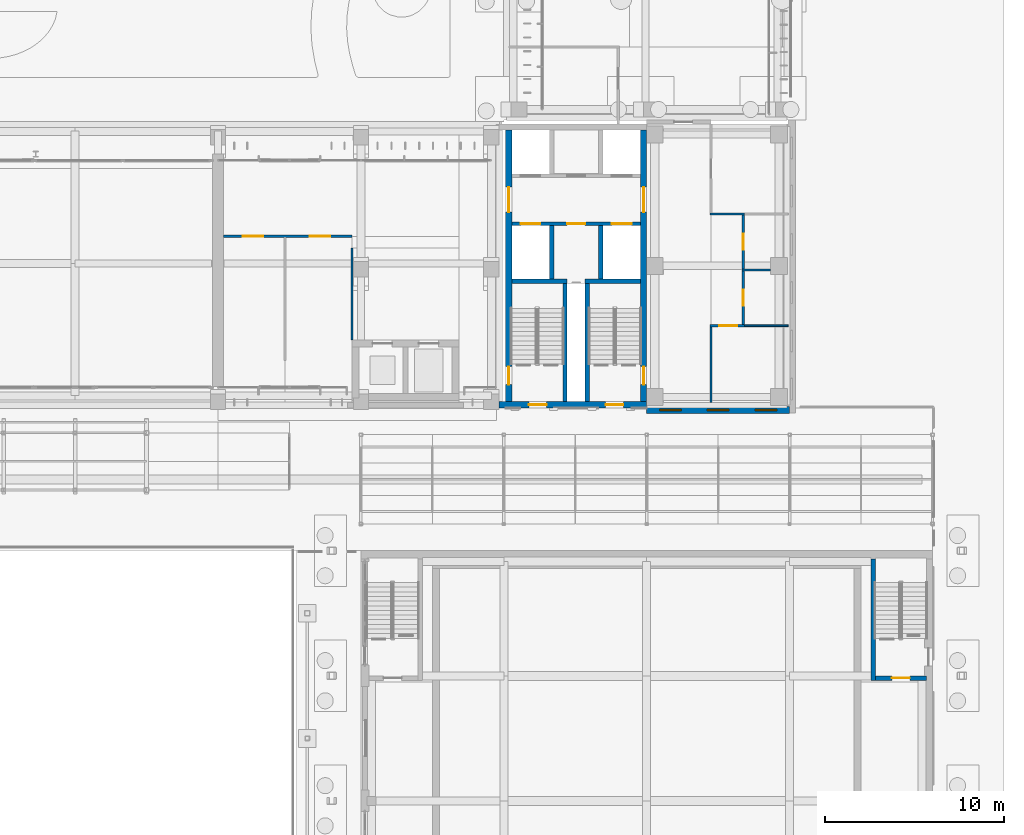
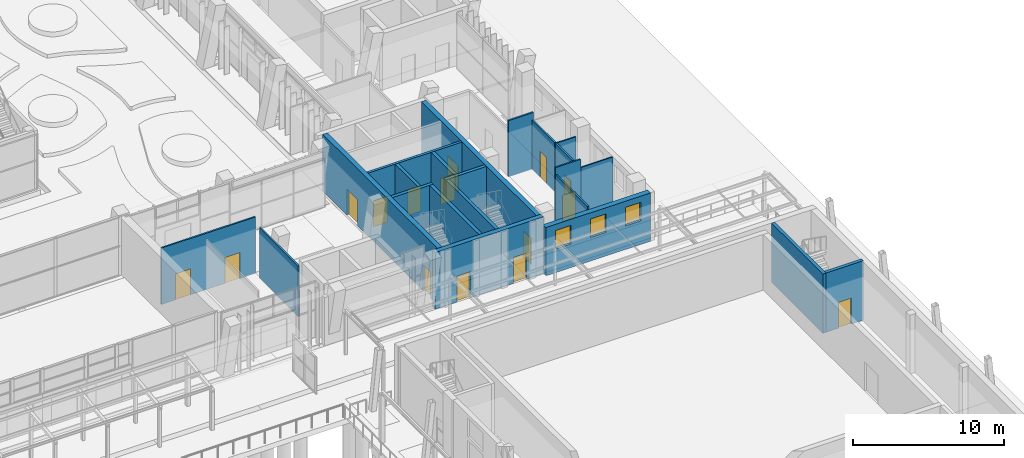
# One storey, part 106 of 144: 21 walls, 15 doors, 3 windows, 18 openings.
"""IFC4 building model written with IfcOpenShell, lengths in metres."""

from ifc_helpers import new_model, si_unit, direction, frame, frame_2d, origin, place, context, subcontext, project, spatial, rectangle, extrude, material, layer, layer_set, type_object, element, fill, save


model = new_model("IFC4")

# Units and contexts
model_context = context("Model", 3, precision=1e-05, world=origin(), true_north=direction((0.0, 1.0)))
body_context = subcontext(model_context, "Body", "Model", "MODEL_VIEW")
ifc_project = project(units=[si_unit("LENGTHUNIT", "METRE"), si_unit("AREAUNIT", "SQUARE_METRE"), si_unit("VOLUMEUNIT", "CUBIC_METRE"), si_unit("PLANEANGLEUNIT", "RADIAN"), si_unit("MASSUNIT", "GRAM", prefix="KILO")], contexts=[model_context])

# Site, building, storey
site_placement = place(None, origin())
site = spatial("IfcSite", under=ifc_project, at=site_placement, CompositionType="ELEMENT")
building_placement = place(site_placement, origin())
building = spatial("IfcBuilding", under=site, at=building_placement, Name="Lantern Court Media Centre", CompositionType="ELEMENT")
storey_placement = place(building_placement, origin())
storey = spatial("IfcBuildingStorey", under=building, at=storey_placement, Name="L00", CompositionType="ELEMENT", Elevation=0.0)

# Wall
ifc_material_1 = material(Name="Gypsum board partition")
ifc_layer_1 = layer(ifc_material_1, 0.125)
ifc_layer_set_1 = layer_set([ifc_layer_1], Name="Gypsum board partition")
wall_type_1 = type_object("IfcWallType", Name="Corridor partition 125", PredefinedType="PARTITIONING", material=ifc_layer_set_1)
wall_1_placement = place(storey_placement, frame((71.5, 51.800048828125, 0.0), z_axis=(0.0, 0.0, 1.0), x_axis=(0.0, 1.0, 0.0)))
element("IfcWall", 1, at=wall_1_placement, inside=storey, type_object=wall_type_1, Name="L00 partition 002", PredefinedType="PARTITIONING", context=body_context, shape_type="SweptSolid", body=[
    extrude(rectangle(XDim=5.14990234375, YDim=0.125, at=frame_2d((2.574951171875, 0.0))), origin(), (0.0, 0.0, 1.0), 4.080078125),
])

# Wall, openings, doors
wall_2_placement = place(storey_placement, frame((64.304931640625, 57.60009765625, 0.0), z_axis=(0.0, 0.0, 1.0), x_axis=(1.0, 0.0, 0.0)))
wall_2 = element("IfcWall", 2, at=wall_2_placement, inside=storey, type_object=wall_type_1, Name="L00 partition 005", PredefinedType="PARTITIONING", context=body_context, shape_type="SweptSolid", body=[
    extrude(rectangle(XDim=7.195068359375, YDim=0.125, at=frame_2d((3.59765625, 0.0))), origin(), (0.0, 0.0, 1.0), 4.56005859375),
])
opening_1_placement = place(wall_2_placement, frame((1.08447265625, 0.0, 0.0)))
opening_1 = element("IfcOpeningElement", 3, at=opening_1_placement, cuts=wall_2, Name="Opening L00-003", PredefinedType="OPENING", context=body_context, shape_type="SweptSolid", body=[
    extrude(rectangle(XDim=1.14990234375, YDim=2.10009765625, at=frame_2d((0.574951171875, 1.050048828125))), frame((0.0, 0.072509765625, 0.0), z_axis=(0.0, -1.0, 0.0), x_axis=(1.0, 0.0, 0.0)), (0.0, 0.0, 1.0), 0.14501953125),
])
opening_2_placement = place(wall_2_placement, frame((4.83447265625, 0.0, 0.0)))
opening_2 = element("IfcOpeningElement", 4, at=opening_2_placement, cuts=wall_2, Name="Opening L00-004", PredefinedType="OPENING", context=body_context, shape_type="SweptSolid", body=[
    extrude(rectangle(XDim=1.14990234375, YDim=2.10009765625, at=frame_2d((0.574951171875, 1.050048828125))), frame((0.0, 0.072509765625, 0.0), z_axis=(0.0, -1.0, 0.0), x_axis=(1.0, 0.0, 0.0)), (0.0, 0.0, 1.0), 0.14501953125),
])
ifc_material_2 = material(Name="Solid-core timber door leaf", Category="wood")
door_type_1 = type_object("IfcDoorType", Name="Single door 1150x2100", OperationType="NOTDEFINED", PredefinedType="DOOR", material=ifc_material_2)
door_1_placement = place(opening_1_placement, frame((1.14990234375, 0.0, 0.0), z_axis=(0.0, 0.0, 1.0), x_axis=(-1.0, 0.0, 0.0)))
door_1 = element("IfcDoor", 5, at=door_1_placement, inside=storey, type_object=door_type_1, Name="L00 Visitor Services and Booking door", OperationType="SINGLE_SWING_RIGHT", OverallHeight=2.10009765625, OverallWidth=1.14990234375, PredefinedType="DOOR", context=body_context, shape_type="SweptSolid", body=[
    extrude(rectangle(XDim=1.14990234375, YDim=2.10009765625, at=frame_2d((0.574951171875, 1.050048828125))), frame((0.0, 0.02490234375, 0.0), z_axis=(0.0, -1.0, 0.0), x_axis=(1.0, 0.0, 0.0)), (0.0, 0.0, 1.0), 0.050048828125),
])
fill(opening_1, door_1)
door_2_placement = place(opening_2_placement, frame((1.14990234375, 0.0, 0.0), z_axis=(0.0, 0.0, 1.0), x_axis=(-1.0, 0.0, 0.0)))
door_2 = element("IfcDoor", 6, at=door_2_placement, inside=storey, type_object=door_type_1, Name="L00 Media Shop door", OperationType="SINGLE_SWING_LEFT", OverallHeight=2.10009765625, OverallWidth=1.14990234375, PredefinedType="DOOR", context=body_context, shape_type="SweptSolid", body=[
    extrude(rectangle(XDim=1.14990234375, YDim=2.10009765625, at=frame_2d((0.574951171875, 1.050048828125))), frame((0.0, 0.02490234375, 0.0), z_axis=(0.0, -1.0, 0.0), x_axis=(1.0, 0.0, 0.0)), (0.0, 0.0, 1.0), 0.050048828125),
])
fill(opening_2, door_2)

# Wall
wall_3_placement = place(storey_placement, frame((91.60009765625, 48.300048828125, 0.0), z_axis=(0.0, 0.0, 1.0), x_axis=(0.0, 1.0, 0.0)))
element("IfcWall", 7, at=wall_3_placement, inside=storey, type_object=wall_type_1, Name="L00 partition 037", PredefinedType="PARTITIONING", context=body_context, shape_type="SweptSolid", body=[
    extrude(rectangle(XDim=4.228759765625, YDim=0.125, at=frame_2d((2.1142578125, 0.0))), origin(), (0.0, 0.0, 1.0), 3.97998046875),
])

# Wall, opening, door
wall_4_placement = place(storey_placement, frame((91.53759765625, 52.591064453125, 0.0), z_axis=(0.0, 0.0, 1.0), x_axis=(1.0, 0.0, 0.0)))
wall_4 = element("IfcWall", 8, at=wall_4_placement, inside=storey, type_object=wall_type_1, Name="L00 partition 040", PredefinedType="PARTITIONING", context=body_context, shape_type="SweptSolid", body=[
    extrude(rectangle(XDim=1.9248046875, YDim=0.125, at=frame_2d((0.96240234375, 0.0))), origin(), (0.0, 0.0, 1.0), 4.56005859375),
])
opening_3_placement = place(wall_4_placement, frame((0.53515625, 0.0, 0.0)))
opening_3 = element("IfcOpeningElement", 9, at=opening_3_placement, cuts=wall_4, Name="Opening L00-023", PredefinedType="OPENING", context=body_context, shape_type="SweptSolid", body=[
    extrude(rectangle(XDim=1.0, YDim=2.10009765625, at=frame_2d((0.5, 1.050048828125))), frame((0.0, 0.072509765625, 0.0), z_axis=(0.0, -1.0, 0.0), x_axis=(1.0, 0.0, 0.0)), (0.0, 0.0, 1.0), 0.14501953125),
])
door_type_2 = type_object("IfcDoorType", Name="Single door 1000x2100", OperationType="NOTDEFINED", PredefinedType="DOOR", material=ifc_material_2)
door_3_placement = place(opening_3_placement, frame((1.0, 0.0, 0.0), z_axis=(0.0, 0.0, 1.0), x_axis=(-1.0, 0.0, 0.0)))
door_3 = element("IfcDoor", 10, at=door_3_placement, inside=storey, type_object=door_type_2, Name="L00 Cafe Kitchen door", OperationType="SINGLE_SWING_RIGHT", OverallHeight=2.10009765625, OverallWidth=1.0, PredefinedType="DOOR", context=body_context, shape_type="SweptSolid", body=[
    extrude(rectangle(XDim=1.0, YDim=2.10009765625, at=frame_2d((0.5, 1.050048828125))), frame((0.0, 0.02490234375, 0.0), z_axis=(0.0, -1.0, 0.0), x_axis=(1.0, 0.0, 0.0)), (0.0, 0.0, 1.0), 0.050048828125),
])
fill(opening_3, door_3)

# Wall
wall_5_placement = place(storey_placement, frame((91.53759765625, 58.85205078125, 0.0), z_axis=(0.0, 0.0, 1.0), x_axis=(1.0, 0.0, 0.0)))
element("IfcWall", 11, at=wall_5_placement, inside=storey, type_object=wall_type_1, Name="L00 partition 042", PredefinedType="PARTITIONING", context=body_context, shape_type="SweptSolid", body=[
    extrude(rectangle(XDim=1.9248046875, YDim=0.125, at=frame_2d((0.96240234375, 0.0))), origin(), (0.0, 0.0, 1.0), 4.56005859375),
])

# Wall, openings, doors
wall_6_placement = place(storey_placement, frame((93.39990234375, 52.65380859375, 0.0), z_axis=(0.0, 0.0, 1.0), x_axis=(0.0, 1.0, 0.0)))
wall_6 = element("IfcWall", 12, at=wall_6_placement, inside=storey, type_object=wall_type_1, Name="L00 partition 044", PredefinedType="PARTITIONING", context=body_context, shape_type="SweptSolid", body=[
    extrude(rectangle(XDim=6.13525390625, YDim=0.125, at=frame_2d((3.067626953125, 0.0))), origin(), (0.0, 0.0, 1.0), 3.97998046875),
])
opening_4_placement = place(wall_6_placement, frame((1.052490234375, 0.0, 0.0)))
opening_4 = element("IfcOpeningElement", 13, at=opening_4_placement, cuts=wall_6, Name="Opening L00-025", PredefinedType="OPENING", context=body_context, shape_type="SweptSolid", body=[
    extrude(rectangle(XDim=0.89990234375, YDim=2.10009765625, at=frame_2d((0.449951171875, 1.050048828125))), frame((0.0, 0.072509765625, 0.0), z_axis=(0.0, -1.0, 0.0), x_axis=(1.0, 0.0, 0.0)), (0.0, 0.0, 1.0), 0.14501953125),
])
opening_5_placement = place(wall_6_placement, frame((4.1826171875, 0.0, 0.0)))
opening_5 = element("IfcOpeningElement", 14, at=opening_5_placement, cuts=wall_6, Name="Opening L00-026", PredefinedType="OPENING", context=body_context, shape_type="SweptSolid", body=[
    extrude(rectangle(XDim=0.89990234375, YDim=2.10009765625, at=frame_2d((0.449951171875, 1.050048828125))), frame((0.0, 0.072509765625, 0.0), z_axis=(0.0, -1.0, 0.0), x_axis=(1.0, 0.0, 0.0)), (0.0, 0.0, 1.0), 0.14501953125),
])
door_type_3 = type_object("IfcDoorType", Name="Single door 900x2100", OperationType="NOTDEFINED", PredefinedType="DOOR", material=ifc_material_2)
door_4_placement = place(opening_4_placement, frame((0.89990234375, 0.0, 0.0), z_axis=(0.0, 0.0, 1.0), x_axis=(-1.0, 0.0, 0.0)))
door_4 = element("IfcDoor", 15, at=door_4_placement, inside=storey, type_object=door_type_3, Name="L00 WC Male door", OperationType="SINGLE_SWING_RIGHT", OverallHeight=2.10009765625, OverallWidth=0.89990234375, PredefinedType="DOOR", context=body_context, shape_type="SweptSolid", body=[
    extrude(rectangle(XDim=0.89990234375, YDim=2.10009765625, at=frame_2d((0.449951171875, 1.050048828125))), frame((0.0, 0.02490234375, 0.0), z_axis=(0.0, -1.0, 0.0), x_axis=(1.0, 0.0, 0.0)), (0.0, 0.0, 1.0), 0.050048828125),
])
fill(opening_4, door_4)
door_5_placement = place(opening_5_placement, frame((0.89990234375, 0.0, 0.0), z_axis=(0.0, 0.0, 1.0), x_axis=(-1.0, 0.0, 0.0)))
door_5 = element("IfcDoor", 16, at=door_5_placement, inside=storey, type_object=door_type_3, Name="L00 WC Female door", OperationType="SINGLE_SWING_LEFT", OverallHeight=2.10009765625, OverallWidth=0.89990234375, PredefinedType="DOOR", context=body_context, shape_type="SweptSolid", body=[
    extrude(rectangle(XDim=0.89990234375, YDim=2.10009765625, at=frame_2d((0.449951171875, 1.050048828125))), frame((0.0, 0.02490234375, 0.0), z_axis=(0.0, -1.0, 0.0), x_axis=(1.0, 0.0, 0.0)), (0.0, 0.0, 1.0), 0.050048828125),
])
fill(opening_5, door_5)

ifc_material_3 = material(Name="Concrete C40", Category="concrete")
ifc_layer_2 = layer(ifc_material_3, 0.199951171875)
ifc_layer_set_2 = layer_set([ifc_layer_2], Name="Concrete C40")
wall_type_2 = type_object("IfcWallType", Name="Fire lobby wall 200", PredefinedType="SOLIDWALL", material=ifc_layer_set_2)
wall_7_placement = place(storey_placement, frame((87.64990234375, 58.300048828125, 0.0), z_axis=(0.0, 0.0, 1.0), x_axis=(-1.0, 0.0, 0.0)))
wall_7 = element("IfcWall", 17, at=wall_7_placement, inside=storey, type_object=wall_type_2, Name="L00 SE FW1", PredefinedType="SOLIDWALL", context=body_context, shape_type="SweptSolid", body=[
    extrude(rectangle(XDim=7.199951171875, YDim=0.199951171875, at=frame_2d((3.60009765625, 0.0))), origin(), (0.0, 0.0, 1.0), 4.550048828125),
])
opening_6_placement = place(wall_7_placement, frame((0.5, 0.0, 0.0)))
opening_6 = element("IfcOpeningElement", 18, at=opening_6_placement, cuts=wall_7, Name="Opening LD-SEFF-L00", PredefinedType="OPENING", context=body_context, shape_type="SweptSolid", body=[
    extrude(rectangle(XDim=1.10009765625, YDim=2.10009765625, at=frame_2d((0.550048828125, 1.050048828125))), frame((0.0, 0.10986328125, 0.0), z_axis=(0.0, -1.0, 0.0), x_axis=(1.0, 0.0, 0.0)), (0.0, 0.0, 1.0), 0.219970703125),
])
opening_7_placement = place(wall_7_placement, frame((5.60009765625, 0.0, 0.0)))
opening_7 = element("IfcOpeningElement", 19, at=opening_7_placement, cuts=wall_7, Name="Opening LD-SEP1-L00", PredefinedType="OPENING", context=body_context, shape_type="SweptSolid", body=[
    extrude(rectangle(XDim=1.10009765625, YDim=2.10009765625, at=frame_2d((0.550048828125, 1.050048828125))), frame((0.0, 0.10986328125, 0.0), z_axis=(0.0, -1.0, 0.0), x_axis=(1.0, 0.0, 0.0)), (0.0, 0.0, 1.0), 0.219970703125),
])
opening_8_placement = place(wall_7_placement, frame((3.10009765625, 0.0, 0.0)))
opening_8 = element("IfcOpeningElement", 20, at=opening_8_placement, cuts=wall_7, Name="Opening SE-L00-05", PredefinedType="OPENING", context=body_context, shape_type="SweptSolid", body=[
    extrude(rectangle(XDim=1.0, YDim=2.10009765625, at=frame_2d((0.5, 1.050048828125))), frame((0.0, 0.10986328125, 0.0), z_axis=(0.0, -1.0, 0.0), x_axis=(1.0, 0.0, 0.0)), (0.0, 0.0, 1.0), 0.219970703125),
])
ifc_material_4 = material(Name="Steel door leaf", Category="steel")
door_type_4 = type_object("IfcDoorType", Name="Lift landing door 1100x2100", OperationType="DOUBLE_DOOR_SLIDING", PredefinedType="DOOR", material=ifc_material_4)
door_6_placement = place(opening_6_placement, frame((1.10009765625, 0.0, 0.0), z_axis=(0.0, 0.0, 1.0), x_axis=(-1.0, 0.0, 0.0)))
door_6 = element("IfcDoor", 21, at=door_6_placement, inside=storey, type_object=door_type_4, Name="L00 SE lift FF landing door", OperationType="DOUBLE_DOOR_SLIDING", OverallHeight=2.10009765625, OverallWidth=1.10009765625, PredefinedType="DOOR", context=body_context, shape_type="SweptSolid", body=[
    extrude(rectangle(XDim=1.10009765625, YDim=2.10009765625, at=frame_2d((0.550048828125, 1.050048828125))), frame((0.0, 0.02490234375, 0.0), z_axis=(0.0, -1.0, 0.0), x_axis=(1.0, 0.0, 0.0)), (0.0, 0.0, 1.0), 0.050048828125),
])
fill(opening_6, door_6)
door_7_placement = place(opening_7_placement, frame((1.10009765625, 0.0, 0.0), z_axis=(0.0, 0.0, 1.0), x_axis=(-1.0, 0.0, 0.0)))
door_7 = element("IfcDoor", 22, at=door_7_placement, inside=storey, type_object=door_type_4, Name="L00 SE lift P1 landing door", OperationType="DOUBLE_DOOR_SLIDING", OverallHeight=2.10009765625, OverallWidth=1.10009765625, PredefinedType="DOOR", context=body_context, shape_type="SweptSolid", body=[
    extrude(rectangle(XDim=1.10009765625, YDim=2.10009765625, at=frame_2d((0.550048828125, 1.050048828125))), frame((0.0, 0.02490234375, 0.0), z_axis=(0.0, -1.0, 0.0), x_axis=(1.0, 0.0, 0.0)), (0.0, 0.0, 1.0), 0.050048828125),
])
fill(opening_7, door_7)
door_type_5 = type_object("IfcDoorType", Name="Service door 1000x2100", OperationType="NOTDEFINED", PredefinedType="DOOR", material=ifc_material_4)
door_8_placement = place(opening_8_placement, frame((1.0, 0.0, 0.0), z_axis=(0.0, 0.0, 1.0), x_axis=(-1.0, 0.0, 0.0)))
door_8 = element("IfcDoor", 23, at=door_8_placement, inside=storey, type_object=door_type_5, Name="L00 SE services riser door", OperationType="SINGLE_SWING_LEFT", OverallHeight=2.10009765625, OverallWidth=1.0, PredefinedType="DOOR", context=body_context, shape_type="SweptSolid", body=[
    extrude(rectangle(XDim=1.0, YDim=2.10009765625, at=frame_2d((0.5, 1.050048828125))), frame((0.0, 0.02490234375, 0.0), z_axis=(0.0, -1.0, 0.0), x_axis=(1.0, 0.0, 0.0)), (0.0, 0.0, 1.0), 0.050048828125),
])
fill(opening_8, door_8)

# Wall, openings, windows
ifc_material_5 = material(Name="Honed limestone cladding on blockwork", Category="masonry")
ifc_layer_3 = layer(ifc_material_5, 0.39990234375)
ifc_layer_set_3 = layer_set([ifc_layer_3], Name="Honed limestone cladding on blockwork")
wall_type_3 = type_object("IfcWallType", Name="Limestone plinth wall 400", PredefinedType="SOLIDWALL", material=ifc_layer_set_3)
wall_8_placement = place(storey_placement, frame((88.0, 47.8798828125, 0.0), z_axis=(0.0, 0.0, 1.0), x_axis=(1.0, 0.0, 0.0)))
wall_8 = element("IfcWall", 24, at=wall_8_placement, inside=storey, type_object=wall_type_3, Name="Limestone wall SE S L00", PredefinedType="SOLIDWALL", context=body_context, shape_type="SweptSolid", body=[
    extrude(rectangle(XDim=8.0, YDim=0.39990234375, at=frame_2d((4.0, 0.0))), origin(), (0.0, 0.0, 1.0), 3.89990234375),
])
opening_9_placement = place(wall_8_placement, frame((0.7333984375, 0.0, 1.89990234375)))
opening_9 = element("IfcOpeningElement", 25, at=opening_9_placement, cuts=wall_8, Name="Opening WN-C", PredefinedType="OPENING", context=body_context, shape_type="SweptSolid", body=[
    extrude(rectangle(XDim=1.199951171875, YDim=1.5, at=frame_2d((0.60009765625, 0.75))), frame((0.0, 0.2099609375, 0.0), z_axis=(0.0, -1.0, 0.0), x_axis=(1.0, 0.0, 0.0)), (0.0, 0.0, 1.0), 0.419921875),
])
opening_10_placement = place(wall_8_placement, frame((3.39990234375, 0.0, 1.89990234375)))
opening_10 = element("IfcOpeningElement", 26, at=opening_10_placement, cuts=wall_8, Name="Opening WN-C", PredefinedType="OPENING", context=body_context, shape_type="SweptSolid", body=[
    extrude(rectangle(XDim=1.199951171875, YDim=1.5, at=frame_2d((0.60009765625, 0.75))), frame((0.0, 0.2099609375, 0.0), z_axis=(0.0, -1.0, 0.0), x_axis=(1.0, 0.0, 0.0)), (0.0, 0.0, 1.0), 0.419921875),
])
opening_11_placement = place(wall_8_placement, frame((6.066650390625, 0.0, 1.89990234375)))
opening_11 = element("IfcOpeningElement", 27, at=opening_11_placement, cuts=wall_8, Name="Opening WN-C", PredefinedType="OPENING", context=body_context, shape_type="SweptSolid", body=[
    extrude(rectangle(XDim=1.199951171875, YDim=1.5, at=frame_2d((0.60009765625, 0.75))), frame((0.0, 0.2099609375, 0.0), z_axis=(0.0, -1.0, 0.0), x_axis=(1.0, 0.0, 0.0)), (0.0, 0.0, 1.0), 0.419921875),
])
ifc_material_6 = material(Name="Anodised aluminium and glass", Category="aluminium")
window_type = type_object("IfcWindowType", Name="Clerestory window 1200x1500", PartitioningType="SINGLE_PANEL", PredefinedType="WINDOW", material=ifc_material_6)
window_1_placement = place(opening_9_placement, origin())
window_1 = element("IfcWindow", 28, at=window_1_placement, inside=storey, type_object=window_type, Name="Window SE S L00", OverallHeight=1.5, OverallWidth=1.199951171875, PartitioningType="SINGLE_PANEL", PredefinedType="WINDOW", context=body_context, shape_type="SweptSolid", body=[
    extrude(rectangle(XDim=1.199951171875, YDim=1.5, at=frame_2d((0.60009765625, 0.75))), frame((0.0, 0.030029296875, 0.0), z_axis=(0.0, -1.0, 0.0), x_axis=(1.0, 0.0, 0.0)), (0.0, 0.0, 1.0), 0.06005859375),
])
fill(opening_9, window_1)
window_2_placement = place(opening_10_placement, origin())
window_2 = element("IfcWindow", 29, at=window_2_placement, inside=storey, type_object=window_type, Name="Window SE S L00", OverallHeight=1.5, OverallWidth=1.199951171875, PartitioningType="SINGLE_PANEL", PredefinedType="WINDOW", context=body_context, shape_type="SweptSolid", body=[
    extrude(rectangle(XDim=1.199951171875, YDim=1.5, at=frame_2d((0.60009765625, 0.75))), frame((0.0, 0.030029296875, 0.0), z_axis=(0.0, -1.0, 0.0), x_axis=(1.0, 0.0, 0.0)), (0.0, 0.0, 1.0), 0.06005859375),
])
fill(opening_10, window_2)
window_3_placement = place(opening_11_placement, origin())
window_3 = element("IfcWindow", 30, at=window_3_placement, inside=storey, type_object=window_type, Name="Window SE S L00", OverallHeight=1.5, OverallWidth=1.199951171875, PartitioningType="SINGLE_PANEL", PredefinedType="WINDOW", context=body_context, shape_type="SweptSolid", body=[
    extrude(rectangle(XDim=1.199951171875, YDim=1.5, at=frame_2d((0.60009765625, 0.75))), frame((0.0, 0.030029296875, 0.0), z_axis=(0.0, -1.0, 0.0), x_axis=(1.0, 0.0, 0.0)), (0.0, 0.0, 1.0), 0.06005859375),
])
fill(opening_11, window_3)

# Walls
ifc_layer_4 = layer(ifc_material_1, 0.10009765625)
ifc_layer_set_4 = layer_set([ifc_layer_4], Name="Gypsum board partition")
wall_type_4 = type_object("IfcWallType", Name="Partition 100", PredefinedType="PARTITIONING", material=ifc_layer_set_4)
wall_9_placement = place(storey_placement, frame((93.33740234375, 52.591064453125, 0.0), z_axis=(0.0, 0.0, 1.0), x_axis=(1.0, 0.0, 0.0)))
element("IfcWall", 31, at=wall_9_placement, inside=storey, type_object=wall_type_4, Name="L00 partition 041", PredefinedType="PARTITIONING", context=body_context, shape_type="SweptSolid", body=[
    extrude(rectangle(XDim=2.58251953125, YDim=0.10009765625, at=frame_2d((1.291259765625, 0.0))), origin(), (0.0, 0.0, 1.0), 3.8798828125),
])
wall_10_placement = place(storey_placement, frame((93.33740234375, 55.720947265625, 0.0), z_axis=(0.0, 0.0, 1.0), x_axis=(1.0, 0.0, 0.0)))
element("IfcWall", 32, at=wall_10_placement, inside=storey, type_object=wall_type_4, Name="L00 partition 046", PredefinedType="PARTITIONING", context=body_context, shape_type="SweptSolid", body=[
    extrude(rectangle(XDim=1.58251953125, YDim=0.10009765625, at=frame_2d((0.791259765625, 0.0))), origin(), (0.0, 0.0, 1.0), 3.97998046875),
])

# Wall, openings, doors
ifc_layer_5 = layer(ifc_material_3, 0.35009765625)
ifc_layer_set_5 = layer_set([ifc_layer_5], Name="Concrete C40")
wall_type_5 = type_object("IfcWallType", Name="RC CORE WALL 350", PredefinedType="SHEAR", material=ifc_layer_set_5)
wall_11_placement = place(storey_placement, frame((79.72509765625, 48.175048828125, 0.0), z_axis=(0.0, 0.0, 1.0), x_axis=(1.0, 0.0, 0.0)))
wall_11 = element("IfcWall", 33, at=wall_11_placement, inside=storey, type_object=wall_type_5, Name="WC-SE-L00-S", PredefinedType="SHEAR", context=body_context, shape_type="SweptSolid", body=[
    extrude(rectangle(XDim=8.27490234375, YDim=0.35009765625, at=frame_2d((4.137451171875, 0.0))), origin(), (0.0, 0.0, 1.0), 4.580078125),
])
opening_12_placement = place(wall_11_placement, frame((5.97509765625, 0.0, 0.0)))
opening_12 = element("IfcOpeningElement", 34, at=opening_12_placement, cuts=wall_11, Name="Opening SE-L00-03", PredefinedType="OPENING", context=body_context, shape_type="SweptSolid", body=[
    extrude(rectangle(XDim=1.0, YDim=2.10009765625, at=frame_2d((0.5, 1.050048828125))), frame((0.0, 0.18505859375, 0.0), z_axis=(0.0, -1.0, 0.0), x_axis=(1.0, 0.0, 0.0)), (0.0, 0.0, 1.0), 0.3701171875),
])
opening_13_placement = place(wall_11_placement, frame((1.675048828125, 0.0, 0.0)))
opening_13 = element("IfcOpeningElement", 35, at=opening_13_placement, cuts=wall_11, Name="Opening SE-L00-04", PredefinedType="OPENING", context=body_context, shape_type="SweptSolid", body=[
    extrude(rectangle(XDim=1.0, YDim=2.10009765625, at=frame_2d((0.5, 1.050048828125))), frame((0.0, 0.18505859375, 0.0), z_axis=(0.0, -1.0, 0.0), x_axis=(1.0, 0.0, 0.0)), (0.0, 0.0, 1.0), 0.3701171875),
])
door_type_6 = type_object("IfcDoorType", Name="Stair exit door 1000x2100", OperationType="NOTDEFINED", PredefinedType="DOOR", material=ifc_material_4)
door_9_placement = place(opening_12_placement, frame((1.0, 0.0, 0.0), z_axis=(0.0, 0.0, 1.0), x_axis=(-1.0, 0.0, 0.0)))
door_9 = element("IfcDoor", 36, at=door_9_placement, inside=storey, type_object=door_type_6, Name="L00 SE stair A exit door", OperationType="SINGLE_SWING_RIGHT", OverallHeight=2.10009765625, OverallWidth=1.0, PredefinedType="DOOR", context=body_context, shape_type="SweptSolid", body=[
    extrude(rectangle(XDim=1.0, YDim=2.10009765625, at=frame_2d((0.5, 1.050048828125))), frame((0.0, 0.02490234375, 0.0), z_axis=(0.0, -1.0, 0.0), x_axis=(1.0, 0.0, 0.0)), (0.0, 0.0, 1.0), 0.050048828125),
])
fill(opening_12, door_9)
door_10_placement = place(opening_13_placement, frame((1.0, 0.0, 0.0), z_axis=(0.0, 0.0, 1.0), x_axis=(-1.0, 0.0, 0.0)))
door_10 = element("IfcDoor", 37, at=door_10_placement, inside=storey, type_object=door_type_6, Name="L00 SE stair B exit door", OperationType="SINGLE_SWING_LEFT", OverallHeight=2.10009765625, OverallWidth=1.0, PredefinedType="DOOR", context=body_context, shape_type="SweptSolid", body=[
    extrude(rectangle(XDim=1.0, YDim=2.10009765625, at=frame_2d((0.5, 1.050048828125))), frame((0.0, 0.02490234375, 0.0), z_axis=(0.0, -1.0, 0.0), x_axis=(1.0, 0.0, 0.0)), (0.0, 0.0, 1.0), 0.050048828125),
])
fill(opening_13, door_10)

wall_12_placement = place(storey_placement, frame((80.27490234375, 48.35009765625, 0.0), z_axis=(0.0, 0.0, 1.0), x_axis=(0.0, 1.0, 0.0)))
wall_12 = element("IfcWall", 38, at=wall_12_placement, inside=storey, type_object=wall_type_5, Name="WC-SE-L00-W", PredefinedType="SHEAR", context=body_context, shape_type="SweptSolid", body=[
    extrude(rectangle(XDim=15.199951171875, YDim=0.35009765625, at=frame_2d((7.60009765625, 0.0))), origin(), (0.0, 0.0, 1.0), 4.580078125),
])
opening_14_placement = place(wall_12_placement, frame((0.949951171875, 0.0, 0.0)))
opening_14 = element("IfcOpeningElement", 39, at=opening_14_placement, cuts=wall_12, Name="Opening SE-L00-02", PredefinedType="OPENING", context=body_context, shape_type="SweptSolid", body=[
    extrude(rectangle(XDim=1.0, YDim=2.10009765625, at=frame_2d((0.5, 1.050048828125))), frame((0.0, 0.18505859375, 0.0), z_axis=(0.0, -1.0, 0.0), x_axis=(1.0, 0.0, 0.0)), (0.0, 0.0, 1.0), 0.3701171875),
])
opening_15_placement = place(wall_12_placement, frame((10.60009765625, 0.0, 0.0)))
opening_15 = element("IfcOpeningElement", 40, at=opening_15_placement, cuts=wall_12, Name="Opening SE-L00-08", PredefinedType="OPENING", context=body_context, shape_type="SweptSolid", body=[
    extrude(rectangle(XDim=1.39990234375, YDim=2.10009765625, at=frame_2d((0.699951171875, 1.050048828125))), frame((0.0, 0.18505859375, 0.0), z_axis=(0.0, -1.0, 0.0), x_axis=(1.0, 0.0, 0.0)), (0.0, 0.0, 1.0), 0.3701171875),
])
door_type_7 = type_object("IfcDoorType", Name="Lift lobby double door 1400x2100", OperationType="NOTDEFINED", PredefinedType="DOOR", material=ifc_material_4)
door_11_placement = place(opening_15_placement, origin())
door_11 = element("IfcDoor", 41, at=door_11_placement, inside=storey, type_object=door_type_7, Name="L00 SE lift lobby east door", OperationType="SINGLE_SWING_LEFT", OverallHeight=2.10009765625, OverallWidth=1.39990234375, PredefinedType="DOOR", context=body_context, shape_type="SweptSolid", body=[
    extrude(rectangle(XDim=1.39990234375, YDim=2.10009765625, at=frame_2d((0.699951171875, 1.050048828125))), frame((0.0, 0.02490234375, 0.0), z_axis=(0.0, -1.0, 0.0), x_axis=(1.0, 0.0, 0.0)), (0.0, 0.0, 1.0), 0.050048828125),
])
fill(opening_15, door_11)
door_type_8 = type_object("IfcDoorType", Name="Stair door 1000x2100", OperationType="NOTDEFINED", PredefinedType="DOOR", material=ifc_material_4)
door_12_placement = place(opening_14_placement, origin())
door_12 = element("IfcDoor", 42, at=door_12_placement, inside=storey, type_object=door_type_8, Name="L00 SE stair B door", OperationType="SINGLE_SWING_LEFT", OverallHeight=2.10009765625, OverallWidth=1.0, PredefinedType="DOOR", context=body_context, shape_type="SweptSolid", body=[
    extrude(rectangle(XDim=1.0, YDim=2.10009765625, at=frame_2d((0.5, 1.050048828125))), frame((0.0, 0.02490234375, 0.0), z_axis=(0.0, -1.0, 0.0), x_axis=(1.0, 0.0, 0.0)), (0.0, 0.0, 1.0), 0.050048828125),
])
fill(opening_14, door_12)

wall_13_placement = place(storey_placement, frame((87.824951171875, 48.35009765625, 0.0), z_axis=(0.0, 0.0, 1.0), x_axis=(0.0, 1.0, 0.0)))
wall_13 = element("IfcWall", 43, at=wall_13_placement, inside=storey, type_object=wall_type_5, Name="WC-SE-L00-E", PredefinedType="SHEAR", context=body_context, shape_type="SweptSolid", body=[
    extrude(rectangle(XDim=15.199951171875, YDim=0.35009765625, at=frame_2d((7.60009765625, 0.0))), origin(), (0.0, 0.0, 1.0), 4.580078125),
])
opening_16_placement = place(wall_13_placement, frame((0.949951171875, 0.0, 0.0)))
opening_16 = element("IfcOpeningElement", 44, at=opening_16_placement, cuts=wall_13, Name="Opening SE-L00-01", PredefinedType="OPENING", context=body_context, shape_type="SweptSolid", body=[
    extrude(rectangle(XDim=1.0, YDim=2.10009765625, at=frame_2d((0.5, 1.050048828125))), frame((0.0, 0.18505859375, 0.0), z_axis=(0.0, -1.0, 0.0), x_axis=(1.0, 0.0, 0.0)), (0.0, 0.0, 1.0), 0.3701171875),
])
opening_17_placement = place(wall_13_placement, frame((10.60009765625, 0.0, 0.0)))
opening_17 = element("IfcOpeningElement", 45, at=opening_17_placement, cuts=wall_13, Name="Opening SE-L00-07", PredefinedType="OPENING", context=body_context, shape_type="SweptSolid", body=[
    extrude(rectangle(XDim=1.39990234375, YDim=2.10009765625, at=frame_2d((0.699951171875, 1.050048828125))), frame((0.0, 0.18505859375, 0.0), z_axis=(0.0, -1.0, 0.0), x_axis=(1.0, 0.0, 0.0)), (0.0, 0.0, 1.0), 0.3701171875),
])
door_13_placement = place(opening_17_placement, frame((1.39990234375, 0.0, 0.0), z_axis=(0.0, 0.0, 1.0), x_axis=(-1.0, 0.0, 0.0)))
door_13 = element("IfcDoor", 46, at=door_13_placement, inside=storey, type_object=door_type_7, Name="L00 SE lift lobby west door", OperationType="SINGLE_SWING_LEFT", OverallHeight=2.10009765625, OverallWidth=1.39990234375, PredefinedType="DOOR", context=body_context, shape_type="SweptSolid", body=[
    extrude(rectangle(XDim=1.39990234375, YDim=2.10009765625, at=frame_2d((0.699951171875, 1.050048828125))), frame((0.0, 0.02490234375, 0.0), z_axis=(0.0, -1.0, 0.0), x_axis=(1.0, 0.0, 0.0)), (0.0, 0.0, 1.0), 0.050048828125),
])
fill(opening_17, door_13)
door_14_placement = place(opening_16_placement, frame((1.0, 0.0, 0.0), z_axis=(0.0, 0.0, 1.0), x_axis=(-1.0, 0.0, 0.0)))
door_14 = element("IfcDoor", 47, at=door_14_placement, inside=storey, type_object=door_type_8, Name="L00 SE stair A door", OperationType="SINGLE_SWING_LEFT", OverallHeight=2.10009765625, OverallWidth=1.0, PredefinedType="DOOR", context=body_context, shape_type="SweptSolid", body=[
    extrude(rectangle(XDim=1.0, YDim=2.10009765625, at=frame_2d((0.5, 1.050048828125))), frame((0.0, 0.02490234375, 0.0), z_axis=(0.0, -1.0, 0.0), x_axis=(1.0, 0.0, 0.0)), (0.0, 0.0, 1.0), 0.050048828125),
])
fill(opening_16, door_14)

# Walls
ifc_layer_6 = layer(ifc_material_3, 0.25)
ifc_layer_set_6 = layer_set([ifc_layer_6], Name="Concrete C40")
wall_type_6 = type_object("IfcWallType", Name="RC lift shaft wall 250", PredefinedType="SOLIDWALL", material=ifc_layer_set_6)
for number, where, z_axis, x_axis, name in (
    (48, (85.425048828125, 55.199951171875, 0.0), (0.0, 0.0, 1.0), (0.0, 1.0, 0.0), "L00 SE L1a"),
    (49, (82.675048828125, 55.199951171875, 0.0), (0.0, 0.0, 1.0), (0.0, 1.0, 0.0), "L00 SE L2a"),
):
    element("IfcWall", number, at=place(storey_placement, frame(where, z_axis=z_axis, x_axis=x_axis)), inside=storey, type_object=wall_type_6, Name=name, PredefinedType="SOLIDWALL", context=body_context, shape_type="SweptSolid", body=[
        extrude(rectangle(XDim=3.0, YDim=0.25, at=frame_2d((1.5, 0.0))), origin(), (0.0, 0.0, 1.0), 4.550048828125),
    ])
ifc_layer_7 = layer(ifc_material_3, 0.25)
ifc_layer_set_7 = layer_set([ifc_layer_7], Name="Concrete C40")
wall_type_7 = type_object("IfcWallType", Name="RC stair shaft wall 250", PredefinedType="SOLIDWALL", material=ifc_layer_set_7)
for number, where, z_axis, x_axis, name in (
    (50, (84.675048828125, 48.35009765625, 0.0), (0.0, 0.0, 1.0), (0.0, 1.0, 0.0), "L00 SE SA"),
    (51, (83.425048828125, 48.35009765625, 0.0), (0.0, 0.0, 1.0), (0.0, 1.0, 0.0), "L00 SE SB"),
):
    element("IfcWall", number, at=place(storey_placement, frame(where, z_axis=z_axis, x_axis=x_axis)), inside=storey, type_object=wall_type_7, Name=name, PredefinedType="SOLIDWALL", context=body_context, shape_type="SweptSolid", body=[
        extrude(rectangle(XDim=6.599853515625, YDim=0.25, at=frame_2d((3.2998046875, 0.0))), origin(), (0.0, 0.0, 1.0), 4.550048828125),
    ])
wall_14_placement = place(storey_placement, frame((87.64990234375, 55.074951171875, 0.0), z_axis=(0.0, 0.0, 1.0), x_axis=(-1.0, 0.0, 0.0)))
element("IfcWall", 52, at=wall_14_placement, inside=storey, type_object=wall_type_7, Name="L00 SE SN1", PredefinedType="SOLIDWALL", context=body_context, shape_type="SweptSolid", body=[
    extrude(rectangle(XDim=3.099853515625, YDim=0.25, at=frame_2d((1.5498046875, 0.0))), origin(), (0.0, 0.0, 1.0), 4.550048828125),
])
wall_15_placement = place(storey_placement, frame((83.550048828125, 55.074951171875, 0.0), z_axis=(0.0, 0.0, 1.0), x_axis=(-1.0, 0.0, 0.0)))
element("IfcWall", 53, at=wall_15_placement, inside=storey, type_object=wall_type_7, Name="L00 SE SN2", PredefinedType="SOLIDWALL", context=body_context, shape_type="SweptSolid", body=[
    extrude(rectangle(XDim=3.10009765625, YDim=0.25, at=frame_2d((1.550048828125, 0.0))), origin(), (0.0, 0.0, 1.0), 4.550048828125),
])
wall_16_placement = place(storey_placement, frame((100.675048828125, 32.75, 0.0), z_axis=(0.0, 0.0, 1.0), x_axis=(0.0, 1.0, 0.0)))
element("IfcWall", 54, at=wall_16_placement, inside=storey, type_object=wall_type_7, Name="L00 V2-ST-E shaft wall W", PredefinedType="SOLIDWALL", context=body_context, shape_type="SweptSolid", body=[
    extrude(rectangle(XDim=6.800048828125, YDim=0.25, at=frame_2d((3.39990234375, 0.0))), origin(), (0.0, 0.0, 1.0), 4.800048828125),
])

# Wall, opening, door
wall_17_placement = place(storey_placement, frame((100.800048828125, 32.875, 0.0), z_axis=(0.0, 0.0, 1.0), x_axis=(1.0, 0.0, 0.0)))
wall_17 = element("IfcWall", 55, at=wall_17_placement, inside=storey, type_object=wall_type_7, Name="L00 V2-ST-E shaft wall S", PredefinedType="SOLIDWALL", context=body_context, shape_type="SweptSolid", body=[
    extrude(rectangle(XDim=2.849853515625, YDim=0.25, at=frame_2d((1.4248046875, 0.0))), origin(), (0.0, 0.0, 1.0), 4.800048828125),
])
opening_18_placement = place(wall_17_placement, frame((0.925048828125, 0.0, 0.0)))
opening_18 = element("IfcOpeningElement", 56, at=opening_18_placement, cuts=wall_17, Name="Opening V2-ST-E-L00-01", PredefinedType="OPENING", context=body_context, shape_type="SweptSolid", body=[
    extrude(rectangle(XDim=1.0, YDim=2.10009765625, at=frame_2d((0.5, 1.050048828125))), frame((0.0, 0.135009765625, 0.0), z_axis=(0.0, -1.0, 0.0), x_axis=(1.0, 0.0, 0.0)), (0.0, 0.0, 1.0), 0.27001953125),
])
door_15_placement = place(opening_18_placement, frame((1.0, 0.0, 0.0), z_axis=(0.0, 0.0, 1.0), x_axis=(-1.0, 0.0, 0.0)))
door_15 = element("IfcDoor", 57, at=door_15_placement, inside=storey, type_object=door_type_8, Name="L00 V2-ST-E stair door", OperationType="SINGLE_SWING_RIGHT", OverallHeight=2.10009765625, OverallWidth=1.0, PredefinedType="DOOR", context=body_context, shape_type="SweptSolid", body=[
    extrude(rectangle(XDim=1.0, YDim=2.10009765625, at=frame_2d((0.5, 1.050048828125))), frame((0.0, 0.02490234375, 0.0), z_axis=(0.0, -1.0, 0.0), x_axis=(1.0, 0.0, 0.0)), (0.0, 0.0, 1.0), 0.050048828125),
])
fill(opening_18, door_15)

save(model, "model.ifc")
